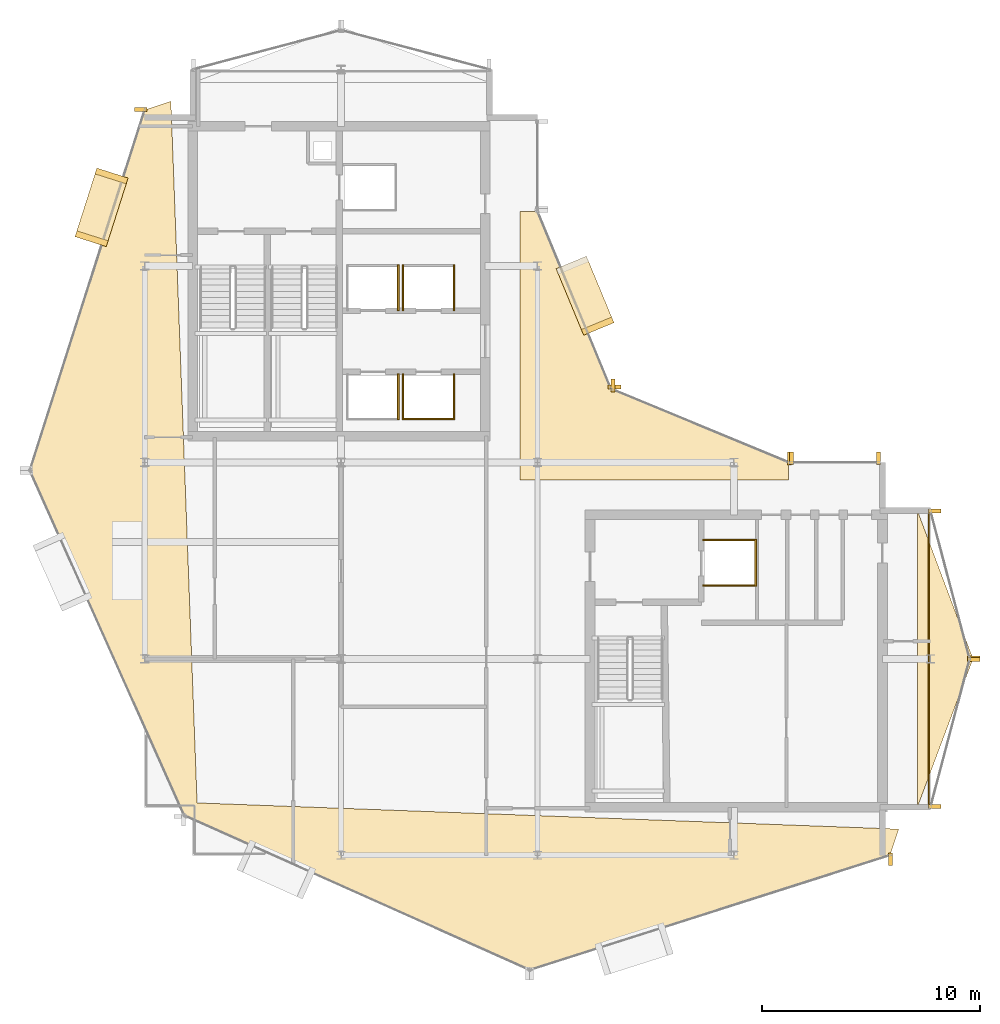
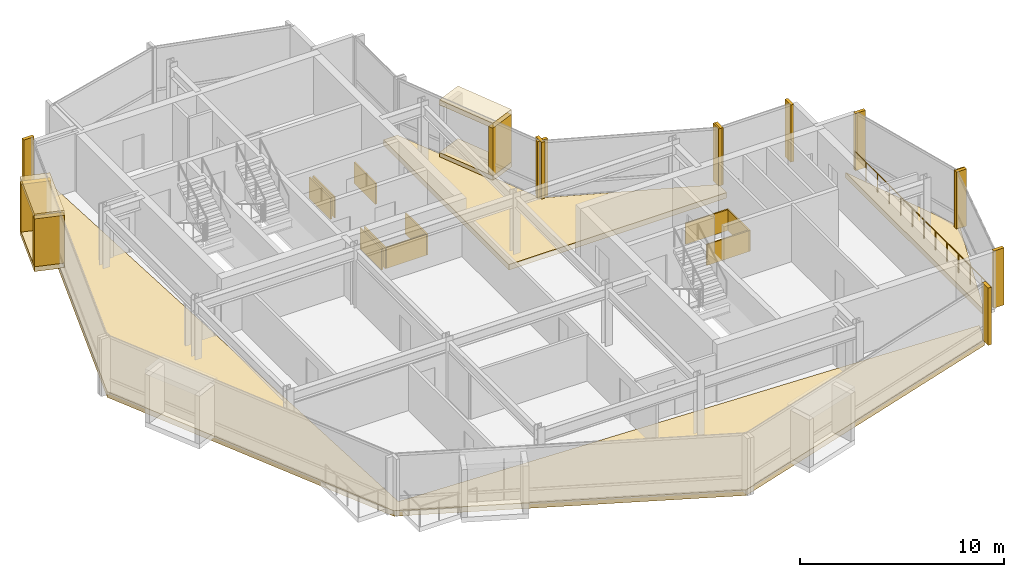
# One storey, part 18 of 19: 31 coverings, 1 railing.
"""IFC4 building model written with IfcOpenShell, lengths in metres."""

from ifc_helpers import new_model, si_unit, direction, frame, origin, origin_2d, place, context, subcontext, project, spatial, polyline, rectangle, circle, outline, extrude, material, layer, layer_set, type_object, element, save


model = new_model("IFC4")

# Units and contexts
model_context = context("Model", 3, precision=1e-05, world=origin(), true_north=direction((0.0, 1.0)))
body_context = subcontext(model_context, "Body", "Model", "MODEL_VIEW")
ifc_project = project(units=[si_unit("LENGTHUNIT", "METRE"), si_unit("AREAUNIT", "SQUARE_METRE"), si_unit("VOLUMEUNIT", "CUBIC_METRE"), si_unit("PLANEANGLEUNIT", "RADIAN"), si_unit("MASSUNIT", "GRAM", prefix="KILO")], contexts=[model_context])

# Site, building, storey
site_placement = place(None, origin())
site = spatial("IfcSite", under=ifc_project, at=site_placement, CompositionType="ELEMENT")
building_placement = place(site_placement, origin())
building = spatial("IfcBuilding", under=site, at=building_placement, Name="Solvaryn Broadcast Tower", CompositionType="ELEMENT")
storey_placement = place(building_placement, frame((0.0, 0.0, 259.300048828125)))
storey = spatial("IfcBuildingStorey", under=building, at=storey_placement, Name="L65", CompositionType="ELEMENT", Elevation=259.300048828125)

# Coverings
ifc_material_1 = material(Name="Fire-Rated Gypsum Shaftwall Liner", Category="concrete")
ifc_layer_1 = layer(ifc_material_1, 0.080078125)
ifc_layer_set_1 = layer_set([ifc_layer_1], Name="CV-SHAFT-LINER")
covering_type_1 = type_object("IfcCoveringType", Name="CV-SHAFT-LINER", PredefinedType="CLADDING", material=ifc_layer_set_1)
covering_1_placement = place(storey_placement, frame((20.614990234375, 30.0, 0.0), z_axis=(0.0, 0.0, 1.0), x_axis=(1.0, 0.0, 0.0)))
element("IfcCovering", 1, at=covering_1_placement, inside=storey, type_object=covering_type_1, Name="L65 PH1 Hoistway Shaft Liner East", PredefinedType="CLADDING", context=body_context, shape_type="SweptSolid", body=[
    extrude(rectangle(XDim=0.080078125, YDim=2.110107421875, at=origin_2d()), origin(), (0.0, 0.0, 1.0), 1.25),
])
covering_2_placement = place(storey_placement, frame((22.0, 28.985107421875, 0.0), z_axis=(0.0, 0.0, 1.0), x_axis=(1.0, 0.0, 0.0)))
element("IfcCovering", 2, at=covering_2_placement, inside=storey, type_object=covering_type_1, Name="L65 PH2 Hoistway Shaft Liner South", PredefinedType="CLADDING", context=body_context, shape_type="SweptSolid", body=[
    extrude(rectangle(XDim=2.409912109375, YDim=0.080078125, at=origin_2d()), origin(), (0.0, 0.0, 1.0), 1.25),
])
for number, where, z_axis, x_axis, name in (
    (3, (23.1650390625, 30.0, 0.0), (0.0, 0.0, 1.0), (1.0, 0.0, 0.0), "L65 PH2 Hoistway Shaft Liner East"),
    (4, (20.8349609375, 30.0, 0.0), (0.0, 0.0, 1.0), (1.0, 0.0, 0.0), "L65 PH2 Hoistway Shaft Liner West"),
    (5, (20.614990234375, 35.0, 0.0), (0.0, 0.0, 1.0), (1.0, 0.0, 0.0), "L65 PH3 Hoistway Shaft Liner East"),
    (6, (23.1650390625, 35.0, 0.0), (0.0, 0.0, 1.0), (1.0, 0.0, 0.0), "L65 PH4 Hoistway Shaft Liner East"),
    (7, (20.8349609375, 35.0, 0.0), (0.0, 0.0, 1.0), (1.0, 0.0, 0.0), "L65 PH4 Hoistway Shaft Liner West"),
):
    element("IfcCovering", number, at=place(storey_placement, frame(where, z_axis=z_axis, x_axis=x_axis)), inside=storey, type_object=covering_type_1, Name=name, PredefinedType="CLADDING", context=body_context, shape_type="SweptSolid", body=[
        extrude(rectangle(XDim=0.080078125, YDim=2.110107421875, at=origin_2d()), origin(), (0.0, 0.0, 1.0), 1.25),
    ])
for number, where, z_axis, x_axis, name in (
    (8, (35.800048828125, 23.43994140625, 0.0), (0.0, 0.0, 1.0), (1.0, 0.0, 0.0), "L65 FL2 Hoistway Shaft Liner North"),
    (9, (35.800048828125, 21.360107421875, 0.0), (0.0, 0.0, 1.0), (1.0, 0.0, 0.0), "L65 FL2 Hoistway Shaft Liner South"),
):
    element("IfcCovering", number, at=place(storey_placement, frame(where, z_axis=z_axis, x_axis=x_axis)), inside=storey, type_object=covering_type_1, Name=name, PredefinedType="CLADDING", context=body_context, shape_type="SweptSolid", body=[
        extrude(rectangle(XDim=2.4599609375, YDim=0.080078125, at=origin_2d()), origin(), (0.0, 0.0, 1.0), 1.25),
    ])
covering_3_placement = place(storey_placement, frame((36.989990234375, 22.39990234375, 0.0), z_axis=(0.0, 0.0, 1.0), x_axis=(1.0, 0.0, 0.0)))
element("IfcCovering", 10, at=covering_3_placement, inside=storey, type_object=covering_type_1, Name="L65 FL2 Hoistway Shaft Liner East", PredefinedType="CLADDING", context=body_context, shape_type="SweptSolid", body=[
    extrude(rectangle(XDim=0.080078125, YDim=2.159912109375, at=origin_2d()), origin(), (0.0, 0.0, 1.0), 1.25),
])
ifc_material_2 = material(Name="Glazed Architectural Terracotta Rainscreen Cladding", Category="masonry")
ifc_layer_2 = layer(ifc_material_2, 0.280029296875)
ifc_layer_set_2 = layer_set([ifc_layer_2], Name="CV-TC-CLAD")
covering_type_2 = type_object("IfcCoveringType", Name="CV-TC-CLAD", PredefinedType="CLADDING", material=ifc_layer_set_2)
for number, where, z_axis, x_axis, name in (
    (11, (7.02197265625, 38.68603515625, 3.1298828125), (0.0, 0.0, 1.0), (-0.303534206887, -0.952820541996, 0.0), "L65 Projecting Stone Window Box Hood 1"),
    (12, (7.02197265625, 38.68603515625, -0.01025390625), (0.0, 0.0, 1.0), (-0.303534206887, -0.952820541996, 0.0), "L65 Projecting Stone Window Box Sill 1"),
):
    element("IfcCovering", number, at=place(storey_placement, frame(where, z_axis=z_axis, x_axis=x_axis)), inside=storey, type_object=covering_type_2, Name=name, PredefinedType="CLADDING", context=body_context, shape_type="SweptSolid", body=[
        extrude(rectangle(XDim=3.300048828125, YDim=1.5, at=origin_2d()), origin(), (0.0, 0.0, 1.0), 0.300048828125),
    ])
for number, where, z_axis, x_axis, name in (
    (13, (7.480224609375, 40.124755859375, 0.27978515625), (0.0, 0.0, 1.0), (-0.303534206887, -0.952820541996, 0.0), "L65 Projecting Stone Window Box Cheek 1-1"),
    (14, (6.563720703125, 37.247314453125, 0.27978515625), (0.0, 0.0, 1.0), (-0.303534206887, -0.952820541996, 0.0), "L65 Projecting Stone Window Box Cheek 1-2"),
):
    element("IfcCovering", number, at=place(storey_placement, frame(where, z_axis=z_axis, x_axis=x_axis)), inside=storey, type_object=covering_type_2, Name=name, PredefinedType="CLADDING", context=body_context, shape_type="SweptSolid", body=[
        extrude(rectangle(XDim=0.280029296875, YDim=1.5, at=origin_2d()), origin(), (0.0, 0.0, 1.0), 2.860107421875),
    ])
for number, where, z_axis, x_axis, name in (
    (15, (29.174072265625, 34.636962890625, 3.1298828125), (0.0, 0.0, 1.0), (-0.382683432365, 0.923879532511, 0.0), "L65 Projecting Stone Window Box Hood 5"),
    (16, (29.174072265625, 34.636962890625, -0.01025390625), (0.0, 0.0, 1.0), (-0.382683432365, 0.923879532511, 0.0), "L65 Projecting Stone Window Box Sill 5"),
):
    element("IfcCovering", number, at=place(storey_placement, frame(where, z_axis=z_axis, x_axis=x_axis)), inside=storey, type_object=covering_type_2, Name=name, PredefinedType="CLADDING", context=body_context, shape_type="SweptSolid", body=[
        extrude(rectangle(XDim=3.300048828125, YDim=1.5, at=origin_2d()), origin(), (0.0, 0.0, 1.0), 0.300048828125),
    ])
covering_4_placement = place(storey_placement, frame((29.751953125, 33.241943359375, 0.27978515625), z_axis=(0.0, 0.0, 1.0), x_axis=(-0.382683432365, 0.923879532511, 0.0)))
element("IfcCovering", 17, at=covering_4_placement, inside=storey, type_object=covering_type_2, Name="L65 Projecting Stone Window Box Cheek 5-1", PredefinedType="CLADDING", context=body_context, shape_type="SweptSolid", body=[
    extrude(rectangle(XDim=0.280029296875, YDim=1.5, at=origin_2d()), origin(), (0.0, 0.0, 1.0), 2.860107421875),
])
ifc_material_3 = material(Name="Extruded Architectural Terracotta Fin", Category="masonry")
ifc_layer_3 = layer(ifc_material_3, 0.179931640625)
ifc_layer_set_3 = layer_set([ifc_layer_3], Name="CV-TC-FIN")
covering_type_3 = type_object("IfcCoveringType", Name="CV-TC-FIN", PredefinedType="USERDEFINED", material=ifc_layer_set_3)
covering_5_placement = place(storey_placement, frame((8.819091796875, 43.17529296875, 0.0), z_axis=(0.0, 0.0, 1.0), x_axis=(1.0, 0.0, 0.0)))
element("IfcCovering", 18, at=covering_5_placement, inside=storey, type_object=covering_type_3, Name="L65 Terracotta Vertical Fin FIN-L65-DR1-M00", ObjectType="FIN", PredefinedType="USERDEFINED", context=body_context, shape_type="SweptSolid", body=[
    extrude(rectangle(XDim=0.580078125, YDim=0.179931640625, at=origin_2d()), origin(), (0.0, 0.0, 1.0), 3.419921875),
])
for number, where, z_axis, x_axis, name in (
    (19, (43.17529296875, 8.819091796875, 0.0), (0.0, 0.0, 1.0), (1.0, 0.0, 0.0), "L65 Terracotta Vertical Fin FIN-L65-DR4-M01"),
    (20, (38.541259765625, 27.177978515625, 0.0), (0.0, 0.0, 1.0), (1.0, 0.0, 0.0), "L65 Terracotta Vertical Fin FIN-L65-CN1-M00"),
    (21, (30.464599609375, 30.52294921875, 0.0), (0.0, 0.0, 1.0), (1.0, 0.0, 0.0), "L65 Terracotta Vertical Fin FIN-L65-CN1-M01"),
):
    element("IfcCovering", number, at=place(storey_placement, frame(where, z_axis=z_axis, x_axis=x_axis)), inside=storey, type_object=covering_type_3, Name=name, ObjectType="FIN", PredefinedType="USERDEFINED", context=body_context, shape_type="SweptSolid", body=[
        extrude(rectangle(XDim=0.179931640625, YDim=0.580078125, at=origin_2d()), origin(), (0.0, 0.0, 1.0), 3.419921875),
    ])
for number, where, z_axis, x_axis, name in (
    (22, (30.52294921875, 30.464599609375, 0.0), (0.0, 0.0, 1.0), (1.0, 0.0, 0.0), "L65 Terracotta Vertical Fin FIN-L65-CN2-M00"),
    (23, (45.1953125, 24.77099609375, 0.0), (0.0, 0.0, 1.0), (1.0, 0.0, 0.0), "L65 Terracotta Vertical Fin FIN-L65-ET1-M00"),
    (24, (46.979736328125, 18.029052734375, 0.0), (0.0, 0.0, 1.0), (1.0, 0.0, 0.0), "L65 Terracotta Vertical Fin FIN-L65-ET1-M01"),
    (25, (46.979736328125, 17.970947265625, 0.0), (0.0, 0.0, 1.0), (1.0, 0.0, 0.0), "L65 Terracotta Vertical Fin FIN-L65-ET2-M00"),
    (26, (45.1953125, 11.22900390625, 0.0), (0.0, 0.0, 1.0), (1.0, 0.0, 0.0), "L65 Terracotta Vertical Fin FIN-L65-ET2-M01"),
):
    element("IfcCovering", number, at=place(storey_placement, frame(where, z_axis=z_axis, x_axis=x_axis)), inside=storey, type_object=covering_type_3, Name=name, ObjectType="FIN", PredefinedType="USERDEFINED", context=body_context, shape_type="SweptSolid", body=[
        extrude(rectangle(XDim=0.580078125, YDim=0.179931640625, at=origin_2d()), origin(), (0.0, 0.0, 1.0), 3.419921875),
    ])
for number, where, z_axis, x_axis, name in (
    (27, (38.6298828125, 27.1875, 0.0), (0.0, 0.0, 1.0), (1.0, 0.0, 0.0), "L65 Terracotta Vertical Fin FIN-L65-IH-M00"),
    (28, (42.6201171875, 27.1875, 0.0), (0.0, 0.0, 1.0), (1.0, 0.0, 0.0), "L65 Terracotta Vertical Fin FIN-L65-IH-M01"),
):
    element("IfcCovering", number, at=place(storey_placement, frame(where, z_axis=z_axis, x_axis=x_axis)), inside=storey, type_object=covering_type_3, Name=name, ObjectType="FIN", PredefinedType="USERDEFINED", context=body_context, shape_type="SweptSolid", body=[
        extrude(rectangle(XDim=0.179931640625, YDim=0.580078125, at=origin_2d()), origin(), (0.0, 0.0, 1.0), 3.419921875),
    ])
ifc_material_4 = material(Name="Sculpted Architectural Terracotta Wave Fascia", Category="masonry")
ifc_layer_4 = layer(ifc_material_4, 0.340087890625)
ifc_layer_set_4 = layer_set([ifc_layer_4], Name="CV-WAVE-TRAY")
covering_type_4 = type_object("IfcCoveringType", Name="CV-WAVE-TRAY", PredefinedType="CLADDING", material=ifc_layer_set_4)
covering_6_placement = place(storey_placement, frame((0.0, 0.0, -0.300048828125)))
element("IfcCovering", 29, at=covering_6_placement, inside=storey, type_object=covering_type_4, Name="L65 Stepped Cylindrical Drum Floor Apron", PredefinedType="CLADDING", context=body_context, shape_type="SweptSolid", body=[
    extrude(outline(polyline([(10.199951171875, 43.549072265625), (9.0, 43.14892578125), (3.738037109375, 26.635986328125), (10.81689453125, 10.81689453125), (26.635986328125, 3.738037109375), (43.14892578125, 9.0), (43.14892578125, 9.0), (43.549072265625, 10.199951171875), (11.39990234375, 11.39990234375), (10.199951171875, 43.549072265625)])), origin(), (0.0, 0.0, 1.0), 0.330078125),
])
covering_7_placement = place(storey_placement, frame((0.0, 0.0, -0.300048828125)))
element("IfcCovering", 30, at=covering_7_placement, inside=storey, type_object=covering_type_4, Name="L65 Concave Canyon Floor Apron", PredefinedType="CLADDING", context=body_context, shape_type="SweptSolid", body=[
    extrude(outline(polyline([(26.199951171875, 26.199951171875), (38.5, 26.199951171875), (38.5, 27.0), (30.367919921875, 30.367919921875), (27.0, 38.5), (26.199951171875, 38.5), (26.199951171875, 26.199951171875)])), origin(), (0.0, 0.0, 1.0), 0.330078125),
])
covering_8_placement = place(storey_placement, frame((0.0, 0.0, -0.300048828125)))
element("IfcCovering", 31, at=covering_8_placement, inside=storey, type_object=covering_type_4, Name="L65 East Curved Wing Deck", PredefinedType="CLADDING", context=body_context, shape_type="SweptSolid", body=[
    extrude(outline(polyline([(44.39990234375, 11.199951171875), (46.949951171875, 18.0), (44.39990234375, 24.800048828125), (44.39990234375, 11.199951171875)])), origin(), (0.0, 0.0, 1.0), 0.330078125),
])

# Railing
ifc_material_5 = material(Name="Stainless Steel and Laminated Glass Guard", Category="steel")
railing_type = type_object("IfcRailingType", Name="RL-TER-1150", PredefinedType="BALUSTRADE", material=ifc_material_5)
railing_placement = place(storey_placement, frame((44.919921875, 11.199951171875, 0.0)))
element("IfcRailing", 32, at=railing_placement, inside=storey, type_object=railing_type, Name="L65 East Wing Spandrel Edge Guard", PredefinedType="BALUSTRADE", context=body_context, shape_type="SweptSolid", body=[
    extrude(circle(Radius=0.02392578125, at=origin_2d()), frame((0.0, 0.0, 1.1259765625), z_axis=(0.0, 1.0, 0.0), x_axis=(-1.0, 0.0, 0.0)), (0.0, 0.0, 1.0), 13.60009765625),
    extrude(circle(Radius=0.02099609375, at=origin_2d()), origin(), (0.0, 0.0, 1.0), 1.101806640625),
    extrude(circle(Radius=0.02099609375, at=origin_2d()), frame((0.0, 1.13330078125, 0.0)), (0.0, 0.0, 1.0), 1.101806640625),
    extrude(circle(Radius=0.02099609375, at=origin_2d()), frame((0.0, 2.2666015625, 0.0)), (0.0, 0.0, 1.0), 1.101806640625),
    extrude(circle(Radius=0.02099609375, at=origin_2d()), frame((0.0, 3.39990234375, 0.0)), (0.0, 0.0, 1.0), 1.101806640625),
    extrude(circle(Radius=0.02099609375, at=origin_2d()), frame((0.0, 4.533447265625, 0.0)), (0.0, 0.0, 1.0), 1.101806640625),
    extrude(circle(Radius=0.02099609375, at=origin_2d()), frame((0.0, 5.666748046875, 0.0)), (0.0, 0.0, 1.0), 1.101806640625),
    extrude(circle(Radius=0.02099609375, at=origin_2d()), frame((0.0, 6.800048828125, 0.0)), (0.0, 0.0, 1.0), 1.101806640625),
    extrude(circle(Radius=0.02099609375, at=origin_2d()), frame((0.0, 7.933349609375, 0.0)), (0.0, 0.0, 1.0), 1.101806640625),
    extrude(circle(Radius=0.02099609375, at=origin_2d()), frame((0.0, 9.066650390625, 0.0)), (0.0, 0.0, 1.0), 1.101806640625),
    extrude(circle(Radius=0.02099609375, at=origin_2d()), frame((0.0, 10.2001953125, 0.0)), (0.0, 0.0, 1.0), 1.101806640625),
    extrude(circle(Radius=0.02099609375, at=origin_2d()), frame((0.0, 11.33349609375, 0.0)), (0.0, 0.0, 1.0), 1.101806640625),
    extrude(circle(Radius=0.02099609375, at=origin_2d()), frame((0.0, 12.466796875, 0.0)), (0.0, 0.0, 1.0), 1.101806640625),
    extrude(circle(Radius=0.02099609375, at=origin_2d()), frame((0.0, 13.60009765625, 0.0)), (0.0, 0.0, 1.0), 1.101806640625),
])

save(model, "model.ifc")
